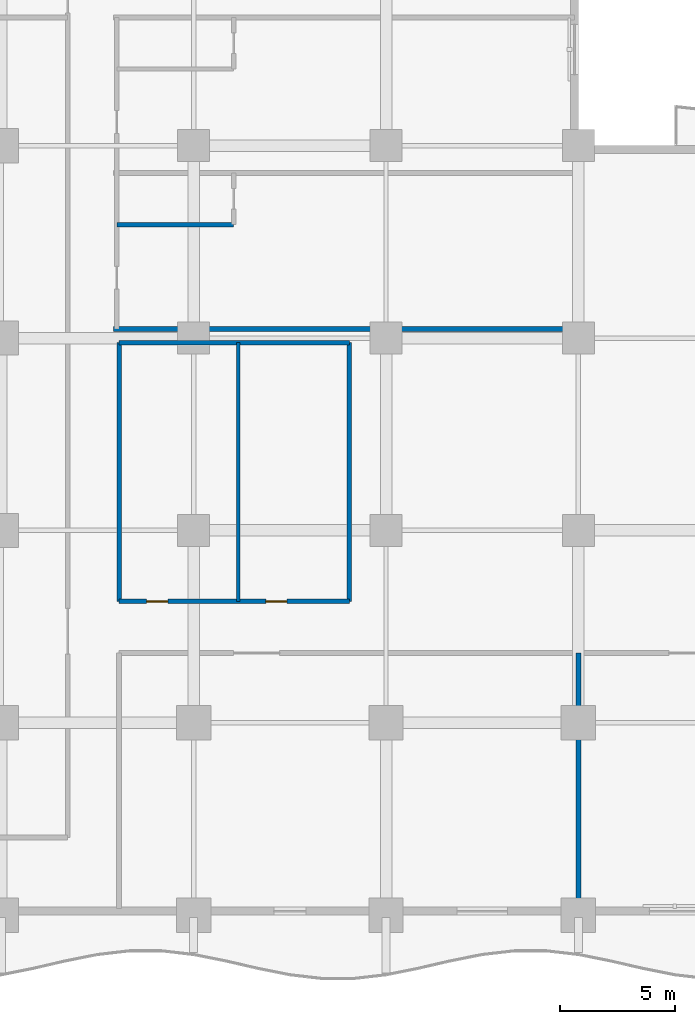
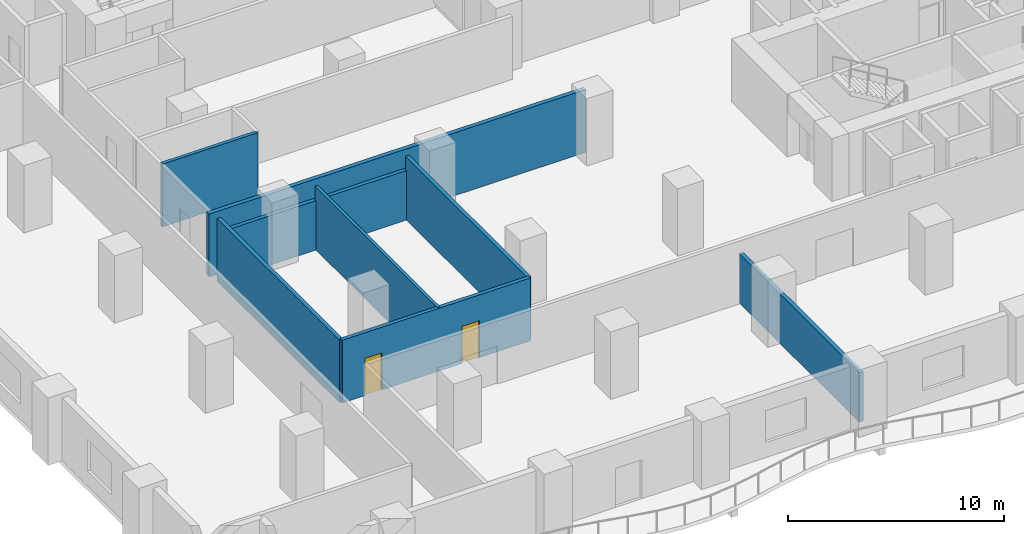
# One storey, part 4 of 18: 8 walls, 2 doors, 2 openings.
"""IFC4 building model written with IfcOpenShell, lengths in metres."""

import ifcopenshell
import ifcopenshell.guid

model = None  # the IFC model being written
_history = None  # IfcOwnerHistory: only IFC2X3 demands one
_inside = {}  # id of a spatial element -> (the spatial element, [elements in it])
_under = {}  # id of a project, library or spatial element -> (it, [spatial elements below it])
_declared = {}  # id of a project -> (the project, [libraries it declares])
_typed = {}  # id of a type object -> (the type object, [elements of that type])
_made_of = {}  # id of a material, layer set ... -> (it, [elements and type objects made of it])


def new_model(schema):
    """Start an empty IFC model of exactly this schema.

    Asked for "IFC4X3", IfcOpenShell would pick the latest addendum, in which some entities
    have other attributes; the version numbers below select the first issue.
    IFC2X3 requires an IfcOwnerHistory on every rooted entity: one is made here for all.
    """
    global model, _history
    if schema == "IFC4X3":
        model = ifcopenshell.file(schema_version=(4, 3, 0, 0))
    else:
        model = ifcopenshell.file(schema=schema)
    _inside.clear()
    _under.clear()
    _declared.clear()
    _typed.clear()
    _made_of.clear()
    _history = None
    if model.schema == "IFC2X3":
        org = make("IfcOrganization", Name="unknown")
        user = make(
            "IfcPersonAndOrganization",
            ThePerson=make("IfcPerson", FamilyName="unknown"),
            TheOrganization=org,
        )
        app = make(
            "IfcApplication",
            ApplicationDeveloper=org,
            Version="unknown",
            ApplicationFullName="unknown",
            ApplicationIdentifier="unknown",
        )
        _history = make(
            "IfcOwnerHistory",
            OwningUser=user,
            OwningApplication=app,
            ChangeAction="ADDED",
            CreationDate=0,
        )
    return model


def make(cls, **values):
    """One entity of the class cls with the attributes given. An attribute that is None is left unset."""
    return model.create_entity(
        cls, **{name: value for name, value in values.items() if value is not None}
    )


def rooted(cls, **values):
    """An entity with a GlobalId (a new one), such as an element, a storey or a relation."""
    return make(cls, GlobalId=ifcopenshell.guid.new(), OwnerHistory=_history, **values)


def si_unit(unit_type, name, prefix=None):
    """IfcSIUnit, for example si_unit("LENGTHUNIT", "METRE", prefix="MILLI")."""
    return make("IfcSIUnit", UnitType=unit_type, Prefix=prefix, Name=name)


def assignment(units):
    """IfcUnitAssignment: the units of a project."""
    return None if units is None else make("IfcUnitAssignment", Units=units)


def point(xyz):
    """IfcCartesianPoint."""
    return None if xyz is None else make("IfcCartesianPoint", Coordinates=xyz)


def direction(xyz):
    """IfcDirection."""
    return None if xyz is None else make("IfcDirection", DirectionRatios=xyz)


def frame(location, z_axis=None, x_axis=None):
    """IfcAxis2Placement3D, a coordinate frame: its origin and axes. An axis left out is left unset."""
    return make(
        "IfcAxis2Placement3D",
        Location=point(location),
        Axis=direction(z_axis),
        RefDirection=direction(x_axis),
    )


def frame_2d(location, x_axis=None):
    """IfcAxis2Placement2D, a coordinate frame in the plane: its origin and x axis."""
    return make(
        "IfcAxis2Placement2D", Location=point(location), RefDirection=direction(x_axis)
    )


def origin():
    """The frame at (0, 0, 0) with its axes left unset."""
    return frame((0.0, 0.0, 0.0))


def place(relative_to, where):
    """IfcLocalPlacement: puts the frame where relative to a parent placement (None: the world)."""
    return make(
        "IfcLocalPlacement", PlacementRelTo=relative_to, RelativePlacement=where
    )


def context(
    kind, dimensions, precision=None, world=None, true_north=None, identifier=None
):
    """IfcGeometricRepresentationContext, for example the 3D "Model" context."""
    return make(
        "IfcGeometricRepresentationContext",
        ContextIdentifier=identifier,
        ContextType=kind,
        CoordinateSpaceDimension=dimensions,
        Precision=precision,
        WorldCoordinateSystem=world,
        TrueNorth=true_north,
    )


def subcontext(parent, identifier, kind, view, scale=None):
    """IfcGeometricRepresentationSubContext, for example "Body" below "Model"."""
    return make(
        "IfcGeometricRepresentationSubContext",
        ContextIdentifier=identifier,
        ContextType=kind,
        ParentContext=parent,
        TargetScale=scale,
        TargetView=view,
    )


def project(units=None, contexts=None):
    """IfcProject with its units and contexts."""
    return rooted(
        "IfcProject",
        Name="project",
        RepresentationContexts=contexts,
        UnitsInContext=assignment(units),
    )


def spatial(cls, under=None, at=None, **own):
    """A site, building, storey or space (cls), placed at a placement, below another one or the project."""
    s = rooted(cls, ObjectPlacement=at, **own)
    if under is not None:
        _under.setdefault(under.id(), (under, []))[1].append(s)
    return s


def profile(cls, at=None, kind="AREA", **sizes):
    """A parametric profile (cls). Its sizes go by their IFC names, for example OverallWidth=200.0."""
    return make(cls, ProfileType=kind, Position=at, **sizes)


def rectangle(**sizes):
    """IfcRectangleProfileDef."""
    return profile("IfcRectangleProfileDef", **sizes)


def extrude(swept, where, along, depth):
    """IfcExtrudedAreaSolid: the profile swept, set in the frame where, extruded along a direction by depth."""
    return make(
        "IfcExtrudedAreaSolid",
        SweptArea=swept,
        Position=where,
        ExtrudedDirection=direction(along),
        Depth=depth,
    )


def shape(context_of_items, identifier, shape_type, items):
    """IfcShapeRepresentation: the items that make up one representation, for example the "Body"."""
    return make(
        "IfcShapeRepresentation",
        ContextOfItems=context_of_items,
        RepresentationIdentifier=identifier,
        RepresentationType=shape_type,
        Items=items,
    )


def material(Name=None, Category=None):
    """IfcMaterial."""
    return make("IfcMaterial", Name=Name, Category=Category)


def layer(
    of_material, thickness, ventilated=None, Name=None, Category=None, Priority=None
):
    """IfcMaterialLayer: one layer of a wall or slab, of a material (None: an air gap)."""
    return make(
        "IfcMaterialLayer",
        Material=of_material,
        LayerThickness=thickness,
        IsVentilated=ventilated,
        Name=Name,
        Category=Category,
        Priority=Priority,
    )


def layer_set(layers, Name=None):
    """IfcMaterialLayerSet."""
    return make("IfcMaterialLayerSet", MaterialLayers=layers, LayerSetName=Name)


def made_of(thing, what):
    """Note that an element or type object is made of a material, layer set ...; save() writes the relation."""
    if what is not None:
        _made_of.setdefault(what.id(), (what, []))[1].append(thing)
    return thing


def type_object(cls, material=None, **own):
    """A type object (cls), such as IfcWallType, which elements share."""
    return made_of(rooted(cls, **own), material)


def element(
    cls,
    number,
    at=None,
    inside=None,
    cuts=None,
    type_object=None,
    material=None,
    context=None,
    identifier="Body",
    shape_type=None,
    held_by="IfcProductDefinitionShape",
    body=None,
    shapes=None,
    **own,
):
    """One element of the class cls, such as IfcWall. Its Tag is "e" and its number.

    at: its placement. inside: the storey or other place that contains it. cuts: it is an
    opening in that element (IfcRelVoidsElement). A single representation is given by context,
    identifier, shape_type and body (its items); several are given by shapes. held_by: the class
    of the entity that holds the representations. save() writes the other relations.
    """
    e = rooted(cls, Tag="e%d" % number, ObjectPlacement=at, **own)
    if body is not None:
        shapes = [shape(context, identifier, shape_type, body)]
    if shapes is not None:
        e.Representation = make(held_by, Representations=shapes)
    if inside is not None:
        _inside.setdefault(inside.id(), (inside, []))[1].append(e)
    if cuts is not None:
        rooted(
            "IfcRelVoidsElement", RelatingBuildingElement=cuts, RelatedOpeningElement=e
        )
    if type_object is not None:
        _typed.setdefault(type_object.id(), (type_object, []))[1].append(e)
    return made_of(e, material)


def fill(opening, filler):
    """IfcRelFillsElement: the door or window that sits in an opening."""
    return rooted(
        "IfcRelFillsElement",
        RelatingOpeningElement=opening,
        RelatedBuildingElement=filler,
    )


def aggregate(whole, parts):
    """IfcRelAggregates: a whole, such as a stair, and the parts it consists of."""
    return rooted("IfcRelAggregates", RelatingObject=whole, RelatedObjects=parts)


def save(model, path):
    """Write the relations noted so far, then the file.

    IfcRelAggregates (storeys below a building ...), IfcRelContainedInSpatialStructure (elements
    in a storey), IfcRelDefinesByType, IfcRelAssociatesMaterial and IfcRelDeclares: one each for
    every whole, place, type object, material and project.
    """
    for whole, parts in _under.values():
        aggregate(whole, parts)
    for where, things in _inside.values():
        rooted(
            "IfcRelContainedInSpatialStructure",
            RelatedElements=things,
            RelatingStructure=where,
        )
    for kind, things in _typed.values():
        rooted("IfcRelDefinesByType", RelatedObjects=things, RelatingType=kind)
    for what, things in _made_of.values():
        rooted("IfcRelAssociatesMaterial", RelatedObjects=things, RelatingMaterial=what)
    for by, libraries in _declared.values():
        rooted("IfcRelDeclares", RelatingContext=by, RelatedDefinitions=libraries)
    model.write(path)


model = new_model("IFC4")

# Units and contexts
model_context = context("Model", 3, precision=1e-05, world=origin(), true_north=direction((0.0, 1.0)))
body_context = subcontext(model_context, "Body", "Model", "MODEL_VIEW")
ifc_project = project(units=[si_unit("LENGTHUNIT", "METRE"), si_unit("AREAUNIT", "SQUARE_METRE"), si_unit("VOLUMEUNIT", "CUBIC_METRE"), si_unit("PLANEANGLEUNIT", "RADIAN"), si_unit("MASSUNIT", "GRAM", prefix="KILO")], contexts=[model_context])

# Site, building, storey
site_placement = place(None, origin())
site = spatial("IfcSite", under=ifc_project, at=site_placement, CompositionType="ELEMENT")
building_placement = place(site_placement, origin())
building = spatial("IfcBuilding", under=site, at=building_placement, Name="Koriwani Terraces Tower", CompositionType="ELEMENT")
storey_placement = place(building_placement, frame((0.0, 0.0, 81.39990234375)))
storey = spatial("IfcBuildingStorey", under=building, at=storey_placement, Name="L19", CompositionType="ELEMENT", Elevation=81.39990234375)

# Wall, openings, doors
ifc_material_1 = material(Name="Autoclaved Cellular Concrete Blockwork", Category="masonry")
ifc_layer_1 = layer(ifc_material_1, 0.199951171875, Name="Autoclaved Cellular Concrete Blockwork")
ifc_layer_set_1 = layer_set([ifc_layer_1], Name="Autoclaved Cellular Concrete Blockwork")
wall_type_1 = type_object("IfcWallType", Name="WALL_CORRIDOR_200", PredefinedType="PARTITIONING", material=ifc_layer_set_1)
wall_1_placement = place(storey_placement, frame((13.550048828125, 13.699951171875, 0.0), z_axis=(0.0, 0.0, 1.0), x_axis=(1.0, 0.0, 0.0)))
wall_1 = element("IfcWall", 1, at=wall_1_placement, inside=storey, type_object=wall_type_1, Name="L19 Interior Wall WHK-L19-S", PredefinedType="PARTITIONING", context=body_context, shape_type="SweptSolid", body=[
    extrude(rectangle(XDim=10.050048828125, YDim=0.199951171875, at=frame_2d((5.02490234375, 0.0))), origin(), (0.0, 0.0, 1.0), 3.550048828125),
])
opening_1_placement = place(wall_1_placement, frame((1.199951171875, 0.0, 0.0)))
opening_1 = element("IfcOpeningElement", 2, at=opening_1_placement, cuts=wall_1, Name="Opening D-06", PredefinedType="OPENING", context=body_context, shape_type="SweptSolid", body=[
    extrude(rectangle(XDim=0.919921875, YDim=2.10009765625, at=frame_2d((0.4599609375, 1.050048828125))), frame((0.0, 0.10986328125, 0.0), z_axis=(0.0, -1.0, 0.0), x_axis=(1.0, 0.0, 0.0)), (0.0, 0.0, 1.0), 0.219970703125),
])
opening_2_placement = place(wall_1_placement, frame((6.39990234375, 0.0, 0.0)))
opening_2 = element("IfcOpeningElement", 3, at=opening_2_placement, cuts=wall_1, Name="Opening D-06", PredefinedType="OPENING", context=body_context, shape_type="SweptSolid", body=[
    extrude(rectangle(XDim=0.919921875, YDim=2.10009765625, at=frame_2d((0.4599609375, 1.050048828125))), frame((0.0, 0.10986328125, 0.0), z_axis=(0.0, -1.0, 0.0), x_axis=(1.0, 0.0, 0.0)), (0.0, 0.0, 1.0), 0.219970703125),
])
ifc_material_2 = material(Name="Architectural Oak Fire Door", Category="wood")
door_type = type_object("IfcDoorType", Name="DOOR_ROOM_INT_920X2100", OperationType="NOTDEFINED", PredefinedType="DOOR", material=ifc_material_2)
door_1_placement = place(opening_1_placement, origin())
door_1 = element("IfcDoor", 4, at=door_1_placement, inside=storey, type_object=door_type, Name="L19 Housekeeping and Linen Room Door", OperationType="SINGLE_SWING_LEFT", OverallHeight=2.10009765625, OverallWidth=0.919921875, PredefinedType="DOOR", context=body_context, shape_type="SweptSolid", body=[
    extrude(rectangle(XDim=0.919921875, YDim=2.10009765625, at=frame_2d((0.4599609375, 1.050048828125))), frame((0.0, 0.02490234375, 0.0), z_axis=(0.0, -1.0, 0.0), x_axis=(1.0, 0.0, 0.0)), (0.0, 0.0, 1.0), 0.050048828125),
])
fill(opening_1, door_1)
door_2_placement = place(opening_2_placement, origin())
door_2 = element("IfcDoor", 5, at=door_2_placement, inside=storey, type_object=door_type, Name="L19 Guest Study Lounge Door", OperationType="SINGLE_SWING_RIGHT", OverallHeight=2.10009765625, OverallWidth=0.919921875, PredefinedType="DOOR", context=body_context, shape_type="SweptSolid", body=[
    extrude(rectangle(XDim=0.919921875, YDim=2.10009765625, at=frame_2d((0.4599609375, 1.050048828125))), frame((0.0, 0.02490234375, 0.0), z_axis=(0.0, -1.0, 0.0), x_axis=(1.0, 0.0, 0.0)), (0.0, 0.0, 1.0), 0.050048828125),
])
fill(opening_2, door_2)

# Walls
wall_2_placement = place(storey_placement, frame((13.550048828125, 25.0, 0.0), z_axis=(0.0, 0.0, 1.0), x_axis=(1.0, 0.0, 0.0)))
element("IfcWall", 6, at=wall_2_placement, inside=storey, type_object=wall_type_1, Name="L19 Interior Wall WHK-L19-N", PredefinedType="PARTITIONING", context=body_context, shape_type="SweptSolid", body=[
    extrude(rectangle(XDim=10.050048828125, YDim=0.199951171875, at=frame_2d((5.02490234375, 0.0))), origin(), (0.0, 0.0, 1.0), 2.800048828125),
])
for number, where, z_axis, x_axis, name in (
    (7, (13.550048828125, 13.699951171875, 0.0), (0.0, 0.0, 1.0), (0.0, 1.0, 0.0), "L19 Interior Wall WHK-L19-W"),
    (8, (23.60009765625, 13.699951171875, 0.0), (0.0, 0.0, 1.0), (0.0, 1.0, 0.0), "L19 Interior Wall WHK-L19-E"),
):
    element("IfcWall", number, at=place(storey_placement, frame(where, z_axis=z_axis, x_axis=x_axis)), inside=storey, type_object=wall_type_1, Name=name, PredefinedType="PARTITIONING", context=body_context, shape_type="SweptSolid", body=[
        extrude(rectangle(XDim=11.300048828125, YDim=0.199951171875, at=frame_2d((5.64990234375, 0.0))), origin(), (0.0, 0.0, 1.0), 3.550048828125),
    ])
ifc_layer_2 = layer(ifc_material_1, 0.219970703125, Name="Autoclaved Cellular Concrete Blockwork")
ifc_layer_set_2 = layer_set([ifc_layer_2], Name="Autoclaved Cellular Concrete Blockwork")
wall_type_2 = type_object("IfcWallType", Name="WALL_DEMISING_220", PredefinedType="PARTITIONING", material=ifc_layer_set_2)
wall_3_placement = place(storey_placement, frame((13.300048828125, 25.60009765625, 0.0), z_axis=(0.0, 0.0, 1.0), x_axis=(1.0, 0.0, 0.0)))
element("IfcWall", 9, at=wall_3_placement, inside=storey, type_object=wall_type_2, Name="L19 Interior Wall WDEM-L19-NWI-0", PredefinedType="PARTITIONING", context=body_context, shape_type="SweptSolid", body=[
    extrude(rectangle(XDim=20.1298828125, YDim=0.219970703125, at=frame_2d((10.06494140625, 0.0))), origin(), (0.0, 0.0, 1.0), 3.550048828125),
])
wall_4_placement = place(storey_placement, frame((33.60009765625, 0.300048828125, 0.0), z_axis=(0.0, 0.0, 1.0), x_axis=(0.0, 1.0, 0.0)))
element("IfcWall", 10, at=wall_4_placement, inside=storey, type_object=wall_type_2, Name="L19 Interior Wall WZ1CLBM-L19", PredefinedType="PARTITIONING", context=body_context, shape_type="SweptSolid", body=[
    extrude(rectangle(XDim=11.14990234375, YDim=0.219970703125, at=frame_2d((5.574951171875, 0.0))), origin(), (0.0, 0.0, 1.0), 2.800048828125),
])
ifc_material_3 = material(Name="Fire-Rated Acoustic Gypsum Partition", Category="masonry")
ifc_layer_3 = layer(ifc_material_3, 0.179931640625, Name="Fire-Rated Acoustic Gypsum Partition")
ifc_layer_set_3 = layer_set([ifc_layer_3], Name="Fire-Rated Acoustic Gypsum Partition")
wall_type_3 = type_object("IfcWallType", Name="WALL_PLUMBING_180", PredefinedType="PLUMBINGWALL", material=ifc_layer_set_3)
wall_5_placement = place(storey_placement, frame((13.449951171875, 30.14990234375, 0.0), z_axis=(0.0, 0.0, 1.0), x_axis=(1.0, 0.0, 0.0)))
element("IfcWall", 11, at=wall_5_placement, inside=storey, type_object=wall_type_3, Name="L19 Interior Wall WBTH2-L19-NWI-0", PredefinedType="PLUMBINGWALL", context=body_context, shape_type="SweptSolid", body=[
    extrude(rectangle(XDim=5.10009765625, YDim=0.179931640625, at=frame_2d((2.550048828125, 0.0))), origin(), (0.0, 0.0, 1.0), 3.550048828125),
])
ifc_layer_4 = layer(ifc_material_3, 0.159912109375, Name="Fire-Rated Acoustic Gypsum Partition")
ifc_layer_set_4 = layer_set([ifc_layer_4], Name="Fire-Rated Acoustic Gypsum Partition")
wall_type_4 = type_object("IfcWallType", Name="WALL_SUITE_160", PredefinedType="PARTITIONING", material=ifc_layer_set_4)
wall_6_placement = place(storey_placement, frame((18.75, 13.699951171875, 0.0), z_axis=(0.0, 0.0, 1.0), x_axis=(0.0, 1.0, 0.0)))
element("IfcWall", 12, at=wall_6_placement, inside=storey, type_object=wall_type_4, Name="L19 Interior Wall WHK-L19-M", PredefinedType="PARTITIONING", context=body_context, shape_type="SweptSolid", body=[
    extrude(rectangle(XDim=11.300048828125, YDim=0.159912109375, at=frame_2d((5.64990234375, 0.0))), origin(), (0.0, 0.0, 1.0), 3.550048828125),
])

save(model, "model.ifc")
